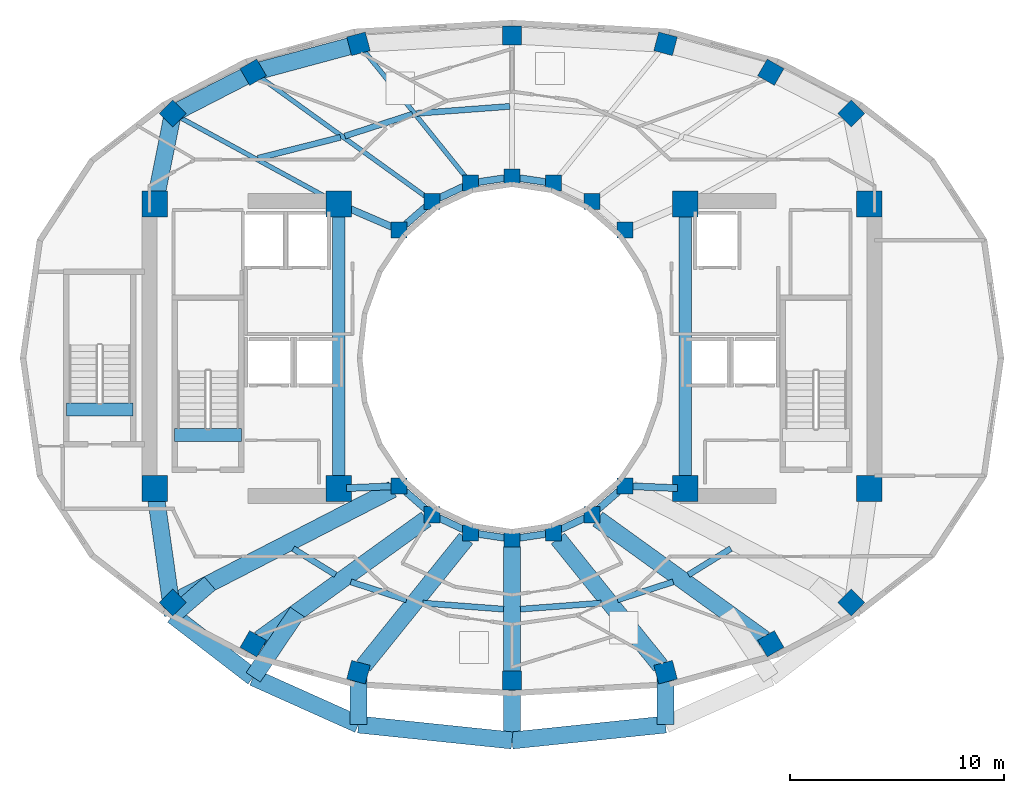
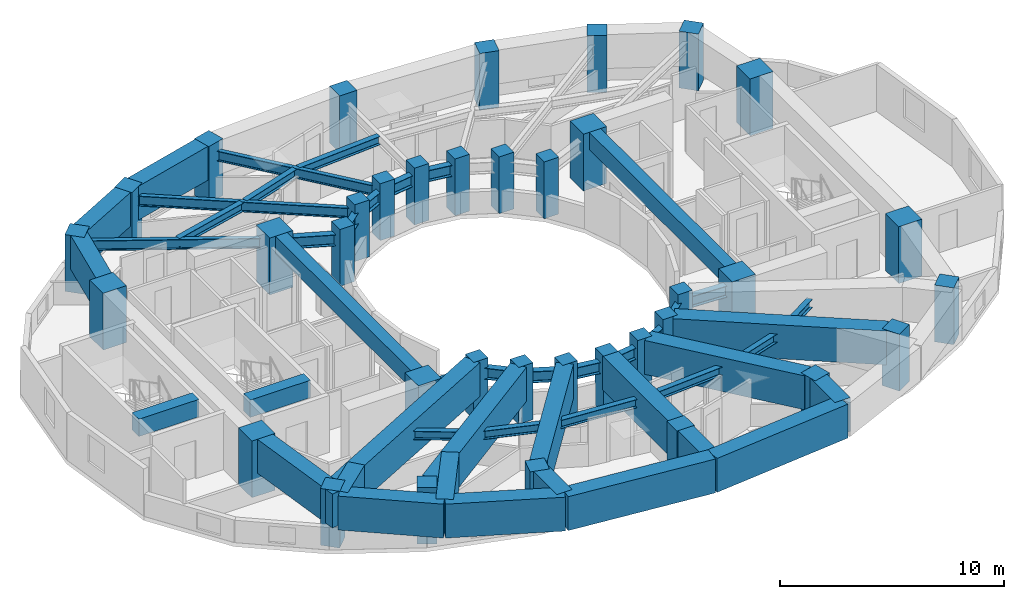
# One storey, part 1 of 9: 47 beams, 36 columns.
"""IFC4 building model written with IfcOpenShell, lengths in metres."""

from ifc_helpers import new_model, si_unit, direction, frame, origin, origin_2d, place, context, subcontext, project, spatial, rectangle, i_section, extrude, material, material_profile, profile_set, type_object, element, save


model = new_model("IFC4")

# Units and contexts
model_context = context("Model", 3, precision=1e-05, world=origin(), true_north=direction((0.0, 1.0)))
body_context = subcontext(model_context, "Body", "Model", "MODEL_VIEW")
ifc_project = project(units=[si_unit("LENGTHUNIT", "METRE"), si_unit("AREAUNIT", "SQUARE_METRE"), si_unit("VOLUMEUNIT", "CUBIC_METRE"), si_unit("PLANEANGLEUNIT", "RADIAN"), si_unit("MASSUNIT", "GRAM", prefix="KILO")], contexts=[model_context])

# Site, building, storey
site_placement = place(None, origin())
site = spatial("IfcSite", under=ifc_project, at=site_placement, CompositionType="ELEMENT")
building_placement = place(site_placement, origin())
building = spatial("IfcBuilding", under=site, at=building_placement, Name="Solvane Sanctuary Tower", CompositionType="ELEMENT")
storey_placement = place(building_placement, frame((0.0, 0.0, 168.39990234375)))
storey = spatial("IfcBuildingStorey", under=building, at=storey_placement, Name="L51", CompositionType="ELEMENT", Elevation=168.39990234375)

# Columns
ifc_material_1 = material(Name="Concrete C50/60", Category="concrete")
ifc_material_profile_1 = material_profile(ifc_material_1, rectangle(XDim=0.75, YDim=0.75, at=origin_2d()), Name="RC750X750")
ifc_profile_set_1 = profile_set([ifc_material_profile_1], Name="Concrete C50/60")
column_type_1 = type_object("IfcColumnType", Name="Column C-RING-Z3 RC750X750", PredefinedType="COLUMN", material=ifc_profile_set_1)
for number, where, z_axis, x_axis, name in (
    (1, (37.27490234375, 28.982177734375, 0.0), (0.0, 0.0, 1.0), (1.0, 0.0, 0.0), "L51 Inner Light-Well Ring Column IC01"),
    (2, (35.72998046875, 30.32666015625, 0.0), (0.0, 0.0, 1.0), (1.0, 0.0, 0.0), "L51 Inner Light-Well Ring Column IC02"),
    (3, (33.930908203125, 31.171630859375, 0.0), (0.0, 0.0, 1.0), (1.0, 0.0, 0.0), "L51 Inner Light-Well Ring Column IC03"),
    (4, (32.0, 31.4599609375, 0.0), (0.0, 0.0, 1.0), (1.0, 0.0, 0.0), "L51 Inner Light-Well Ring Column IC04"),
    (5, (30.069091796875, 31.171630859375, 0.0), (0.0, 0.0, 1.0), (1.0, 0.0, 0.0), "L51 Inner Light-Well Ring Column IC05"),
    (6, (28.27001953125, 30.32666015625, 0.0), (0.0, 0.0, 1.0), (1.0, 0.0, 0.0), "L51 Inner Light-Well Ring Column IC06"),
    (7, (26.72509765625, 28.982177734375, 0.0), (0.0, 0.0, 1.0), (1.0, 0.0, 0.0), "L51 Inner Light-Well Ring Column IC07"),
    (8, (26.72509765625, 17.017822265625, 0.0), (0.0, 0.0, 1.0), (1.0, 0.0, 0.0), "L51 Inner Light-Well Ring Column IC08"),
    (9, (28.27001953125, 15.67333984375, 0.0), (0.0, 0.0, 1.0), (1.0, 0.0, 0.0), "L51 Inner Light-Well Ring Column IC09"),
    (10, (30.069091796875, 14.828369140625, 0.0), (0.0, 0.0, 1.0), (1.0, 0.0, 0.0), "L51 Inner Light-Well Ring Column IC10"),
    (11, (32.0, 14.5400390625, 0.0), (0.0, 0.0, 1.0), (1.0, 0.0, 0.0), "L51 Inner Light-Well Ring Column IC11"),
    (12, (33.930908203125, 14.828369140625, 0.0), (0.0, 0.0, 1.0), (1.0, 0.0, 0.0), "L51 Inner Light-Well Ring Column IC12"),
    (13, (35.72998046875, 15.67333984375, 0.0), (0.0, 0.0, 1.0), (1.0, 0.0, 0.0), "L51 Inner Light-Well Ring Column IC13"),
    (14, (37.27490234375, 17.017822265625, 0.0), (0.0, 0.0, 1.0), (1.0, 0.0, 0.0), "L51 Inner Light-Well Ring Column IC14"),
):
    element("IfcColumn", number, at=place(storey_placement, frame(where, z_axis=z_axis, x_axis=x_axis)), inside=storey, type_object=column_type_1, Name=name, PredefinedType="COLUMN", context=body_context, shape_type="SweptSolid", body=[
        extrude(rectangle(XDim=0.75, YDim=0.75, at=origin_2d()), origin(), (0.0, 0.0, 1.0), 3.10009765625),
    ])
ifc_material_2 = material(Name="Concrete C70/85", Category="concrete")
ifc_material_profile_2 = material_profile(ifc_material_2, rectangle(XDim=1.199951171875, YDim=1.199951171875, at=origin_2d()), Name="RC1200X1200")
ifc_profile_set_2 = profile_set([ifc_material_profile_2], Name="Concrete C70/85")
column_type_2 = type_object("IfcColumnType", Name="Column C-TUBE-Z1 RC1200X1200", PredefinedType="COLUMN", material=ifc_profile_set_2)
for number, where, z_axis, x_axis, name in (
    (15, (15.300048828125, 16.89990234375, 0.0), (0.0, 0.0, 1.0), (1.0, 0.0, 0.0), "L51 Core Corner Column CW1"),
    (16, (23.89990234375, 16.89990234375, 0.0), (0.0, 0.0, 1.0), (1.0, 0.0, 0.0), "L51 Core Corner Column CW2"),
    (17, (23.89990234375, 30.199951171875, 0.0), (0.0, 0.0, 1.0), (1.0, 0.0, 0.0), "L51 Core Corner Column CW3"),
    (18, (15.300048828125, 30.199951171875, 0.0), (0.0, 0.0, 1.0), (1.0, 0.0, 0.0), "L51 Core Corner Column CW4"),
    (19, (40.10009765625, 16.89990234375, 0.0), (0.0, 0.0, 1.0), (1.0, 0.0, 0.0), "L51 Core Corner Column CE1"),
    (20, (48.699951171875, 16.89990234375, 0.0), (0.0, 0.0, 1.0), (1.0, 0.0, 0.0), "L51 Core Corner Column CE2"),
    (21, (48.699951171875, 30.199951171875, 0.0), (0.0, 0.0, 1.0), (1.0, 0.0, 0.0), "L51 Core Corner Column CE3"),
    (22, (40.10009765625, 30.199951171875, 0.0), (0.0, 0.0, 1.0), (1.0, 0.0, 0.0), "L51 Core Corner Column CE4"),
):
    element("IfcColumn", number, at=place(storey_placement, frame(where, z_axis=z_axis, x_axis=x_axis)), inside=storey, type_object=column_type_2, Name=name, PredefinedType="COLUMN", context=body_context, shape_type="SweptSolid", body=[
        extrude(rectangle(XDim=1.199951171875, YDim=1.199951171875, at=origin_2d()), origin(), (0.0, 0.0, 1.0), 3.10009765625),
    ])
ifc_material_3 = material(Name="Concrete C60/75", Category="concrete")
ifc_material_profile_3 = material_profile(ifc_material_3, rectangle(XDim=0.89990234375, YDim=0.89990234375, at=origin_2d()), Name="RC900X900")
ifc_profile_set_3 = profile_set([ifc_material_profile_3], Name="Concrete C60/75")
column_type_3 = type_object("IfcColumnType", Name="Column C-TUBE-Z3 RC900X900", PredefinedType="COLUMN", material=ifc_profile_set_3)
for number, where, z_axis, x_axis, name in (
    (23, (47.856689453125, 34.426513671875, 0.0), (0.0, 0.0, 1.0), (0.707106781187, 0.707106781187, 0.0), "L51 Perimeter Tube Column TC01"),
    (24, (44.09814453125, 36.359375, 0.0), (0.0, 0.0, 1.0), (0.5, 0.866025403784, 0.0), "L51 Perimeter Tube Column TC02"),
    (25, (39.17822265625, 37.686767578125, 0.0), (0.0, 0.0, 1.0), (0.258819045103, 0.965925826289, 0.0), "L51 Perimeter Tube Column TC03"),
    (26, (32.0, 38.080078125, 0.0), (0.0, 0.0, 1.0), (0.0, 1.0, 0.0), "L51 Perimeter Tube Column TC04"),
    (27, (24.82177734375, 37.686767578125, 0.0), (0.0, 0.0, 1.0), (-0.258819045103, 0.965925826289, 0.0), "L51 Perimeter Tube Column TC05"),
    (28, (19.90185546875, 36.359375, 0.0), (0.0, 0.0, 1.0), (-0.5, 0.866025403784, 0.0), "L51 Perimeter Tube Column TC06"),
    (29, (16.143310546875, 34.426513671875, 0.0), (0.0, 0.0, 1.0), (-0.707106781187, 0.707106781187, 0.0), "L51 Perimeter Tube Column TC07"),
    (30, (16.143310546875, 11.573486328125, 0.0), (0.0, 0.0, 1.0), (-0.707106781187, -0.707106781187, 0.0), "L51 Perimeter Tube Column TC08"),
    (31, (19.90185546875, 9.640625, 0.0), (0.0, 0.0, 1.0), (-0.5, -0.866025403784, 0.0), "L51 Perimeter Tube Column TC09"),
    (32, (24.82177734375, 8.313232421875, 0.0), (0.0, 0.0, 1.0), (-0.258819045103, -0.965925826289, 0.0), "L51 Perimeter Tube Column TC10"),
    (33, (32.0, 7.919921875, 0.0), (0.0, 0.0, 1.0), (0.0, -1.0, 0.0), "L51 Perimeter Tube Column TC11"),
    (34, (39.17822265625, 8.313232421875, 0.0), (0.0, 0.0, 1.0), (0.258819045103, -0.965925826289, 0.0), "L51 Perimeter Tube Column TC12"),
    (35, (44.09814453125, 9.640625, 0.0), (0.0, 0.0, 1.0), (0.5, -0.866025403784, 0.0), "L51 Perimeter Tube Column TC13"),
    (36, (47.856689453125, 11.573486328125, 0.0), (0.0, 0.0, 1.0), (0.707106781187, -0.707106781187, 0.0), "L51 Perimeter Tube Column TC14"),
):
    element("IfcColumn", number, at=place(storey_placement, frame(where, z_axis=z_axis, x_axis=x_axis)), inside=storey, type_object=column_type_3, Name=name, PredefinedType="COLUMN", context=body_context, shape_type="SweptSolid", body=[
        extrude(rectangle(XDim=0.89990234375, YDim=0.89990234375, at=origin_2d()), origin(), (0.0, 0.0, 1.0), 3.10009765625),
    ])

# Beams
ifc_material_profile_4 = material_profile(ifc_material_2, rectangle(XDim=0.60009765625, YDim=0.949951171875, at=origin_2d()), Name="RC600X950")
ifc_profile_set_4 = profile_set([ifc_material_profile_4], Name="Concrete C70/85")
beam_type_1 = type_object("IfcBeamType", Name="Beam B-COUPLE RC600X950", PredefinedType="LINTEL", material=ifc_profile_set_4)
for number, where, z_axis, x_axis, name in (
    (37, (23.89990234375, 17.35009765625, 2.625), (0.0, 1.0, 0.0), (-1.0, 0.0, 0.0), "L51 West Core Coupling Lintel"),
    (38, (40.10009765625, 17.35009765625, 2.625), (0.0, 1.0, 0.0), (-1.0, 0.0, 0.0), "L51 East Core Coupling Lintel"),
):
    element("IfcBeam", number, at=place(storey_placement, frame(where, z_axis=z_axis, x_axis=x_axis)), inside=storey, type_object=beam_type_1, Name=name, PredefinedType="LINTEL", context=body_context, shape_type="SweptSolid", body=[
        extrude(rectangle(XDim=0.60009765625, YDim=0.949951171875, at=origin_2d()), origin(), (0.0, 0.0, 1.0), 12.39990234375),
    ])
for number, where, z_axis, x_axis, name in (
    (39, (16.22998046875, 19.399169921875, 2.625), (1.0, 0.0, 0.0), (0.0, 1.0, 0.0), "L51 ST-1 Stair Floor Landing Trimmer"),
    (40, (11.169921875, 20.59912109375, 2.625), (1.0, 0.0, 0.0), (0.0, 1.0, 0.0), "L51 ST-3 Stair Floor Landing Trimmer"),
):
    element("IfcBeam", number, at=place(storey_placement, frame(where, z_axis=z_axis, x_axis=x_axis)), inside=storey, type_object=beam_type_1, Name=name, PredefinedType="LINTEL", context=body_context, shape_type="SweptSolid", body=[
        extrude(rectangle(XDim=0.60009765625, YDim=0.949951171875, at=origin_2d()), origin(), (0.0, 0.0, 1.0), 3.1201171875),
    ])
ifc_material_4 = material(Name="Steel ASTM A992 Grade 50", Category="steel")
ifc_material_profile_5 = material_profile(ifc_material_4, i_section(OverallWidth=0.214111328125, OverallDepth=0.549072265625, WebThickness=0.0146484375, FlangeThickness=0.023681640625, FilletRadius=0.014892578125, at=origin_2d()), Name="W21X93")
ifc_profile_set_5 = profile_set([ifc_material_profile_5], Name="Steel ASTM A992 Grade 50")
beam_type_2 = type_object("IfcBeamType", Name="Beam B-RAD-Z3 W21X93", PredefinedType="JOIST", material=ifc_profile_set_5)
beam_1_placement = place(storey_placement, frame((29.8935546875, 31.389892578125, 2.323486328125), z_axis=(-0.627296867999, 0.778780225352, 0.0), x_axis=(-0.778780225352, -0.627296867999, 0.0)))
element("IfcBeam", 41, at=beam_1_placement, inside=storey, type_object=beam_type_2, Name="L51 Radial Composite Floor Beam 05", PredefinedType="JOIST", context=body_context, shape_type="SweptSolid", body=[
    extrude(i_section(OverallWidth=0.214111328125, OverallDepth=0.549072265625, WebThickness=0.0146484375, FlangeThickness=0.023681640625, FilletRadius=0.014892578125, at=origin_2d()), origin(), (0.0, 0.0, 1.0), 7.805419921875),
])
beam_2_placement = place(storey_placement, frame((28.04296875, 30.490234375, 2.323486328125), z_axis=(-0.811184384633, 0.584790470277, 0.0), x_axis=(-0.584790470277, -0.811184384633, 0.0)))
element("IfcBeam", 42, at=beam_2_placement, inside=storey, type_object=beam_type_2, Name="L51 Radial Composite Floor Beam 06", PredefinedType="JOIST", context=body_context, shape_type="SweptSolid", body=[
    extrude(i_section(OverallWidth=0.214111328125, OverallDepth=0.549072265625, WebThickness=0.0146484375, FlangeThickness=0.023681640625, FilletRadius=0.014892578125, at=origin_2d()), origin(), (0.0, 0.0, 1.0), 9.756103515625),
])
beam_3_placement = place(storey_placement, frame((23.583984375, 30.372314453125, 2.323486328125), z_axis=(-0.878108435277, 0.478461676516, 0.0), x_axis=(-0.478461676516, -0.878108435277, 0.0)))
element("IfcBeam", 43, at=beam_3_placement, inside=storey, type_object=beam_type_2, Name="L51 Radial Composite Floor Beam 07", PredefinedType="JOIST", context=body_context, shape_type="SweptSolid", body=[
    extrude(i_section(OverallWidth=0.214111328125, OverallDepth=0.549072265625, WebThickness=0.0146484375, FlangeThickness=0.023681640625, FilletRadius=0.014892578125, at=origin_2d()), origin(), (0.0, 0.0, 1.0), 8.193359375),
])
ifc_material_profile_6 = material_profile(ifc_material_4, i_section(OverallWidth=0.324951171875, OverallDepth=0.615966796875, WebThickness=0.013916015625, FlangeThickness=0.021484375, FilletRadius=0.01611328125, at=origin_2d()), Name="W24X117")
ifc_profile_set_6 = profile_set([ifc_material_profile_6], Name="Steel ASTM A992 Grade 50")
beam_type_3 = type_object("IfcBeamType", Name="Beam B-RING-IN2 W24X117", PredefinedType="BEAM", material=ifc_profile_set_6)
beam_4_placement = place(storey_placement, frame((24.230712890625, 30.0576171875, 2.2900390625), z_axis=(0.918264067649, -0.395968561966, 0.0), x_axis=(0.395968561966, 0.918264067649, 0.0)))
element("IfcBeam", 44, at=beam_4_placement, inside=storey, type_object=beam_type_3, Name="L51 Inner Light-Well Ring Beam CW3-IC07", PredefinedType="BEAM", context=body_context, shape_type="SweptSolid", body=[
    extrude(i_section(OverallWidth=0.324951171875, OverallDepth=0.615966796875, WebThickness=0.013916015625, FlangeThickness=0.021484375, FilletRadius=0.01611328125, at=origin_2d()), origin(), (0.0, 0.0, 1.0), 2.371337890625),
])
beam_5_placement = place(storey_placement, frame((26.9853515625, 29.20849609375, 2.2900390625), z_axis=(0.754311313851, 0.656516901379, 0.0), x_axis=(-0.656516901379, 0.754311313851, 0.0)))
element("IfcBeam", 45, at=beam_5_placement, inside=storey, type_object=beam_type_3, Name="L51 Inner Light-Well Ring Beam IC07-IC06", PredefinedType="BEAM", context=body_context, shape_type="SweptSolid", body=[
    extrude(i_section(OverallWidth=0.324951171875, OverallDepth=0.615966796875, WebThickness=0.013916015625, FlangeThickness=0.021484375, FilletRadius=0.01611328125, at=origin_2d()), origin(), (0.0, 0.0, 1.0), 1.358154296875),
])
beam_6_placement = place(storey_placement, frame((28.582275390625, 30.473388671875, 2.2900390625), z_axis=(0.9051808128, 0.425026700502, 0.0), x_axis=(-0.425026700502, 0.9051808128, 0.0)))
element("IfcBeam", 46, at=beam_6_placement, inside=storey, type_object=beam_type_3, Name="L51 Inner Light-Well Ring Beam IC06-IC05", PredefinedType="BEAM", context=body_context, shape_type="SweptSolid", body=[
    extrude(i_section(OverallWidth=0.324951171875, OverallDepth=0.615966796875, WebThickness=0.013916015625, FlangeThickness=0.021484375, FilletRadius=0.01611328125, at=origin_2d()), origin(), (0.0, 0.0, 1.0), 1.297607421875),
])
for number, where, z_axis, x_axis, name in (
    (47, (30.410400390625, 31.22265625, 2.2900390625), (0.989019905763, 0.147782360259, 0.0), (-0.147782360259, 0.989019905763, 0.0), "L51 Inner Light-Well Ring Beam IC05-IC04"),
    (48, (32.34130859375, 31.4091796875, 2.2900390625), (0.989019905763, -0.147782360259, 0.0), (0.147782360259, 0.989019905763, 0.0), "L51 Inner Light-Well Ring Beam IC04-IC03"),
):
    element("IfcBeam", number, at=place(storey_placement, frame(where, z_axis=z_axis, x_axis=x_axis)), inside=storey, type_object=beam_type_3, Name=name, PredefinedType="BEAM", context=body_context, shape_type="SweptSolid", body=[
        extrude(i_section(OverallWidth=0.324951171875, OverallDepth=0.615966796875, WebThickness=0.013916015625, FlangeThickness=0.021484375, FilletRadius=0.01611328125, at=origin_2d()), origin(), (0.0, 0.0, 1.0), 1.26220703125),
    ])
beam_7_placement = place(storey_placement, frame((24.259765625, 16.9150390625, 2.2900390625), z_axis=(0.999132674336, 0.041640113759, 0.0), x_axis=(-0.041640113759, 0.999132674336, 0.0)))
element("IfcBeam", 49, at=beam_7_placement, inside=storey, type_object=beam_type_3, Name="L51 Inner Light-Well Ring Beam CW2-IC08", PredefinedType="BEAM", context=body_context, shape_type="SweptSolid", body=[
    extrude(i_section(OverallWidth=0.324951171875, OverallDepth=0.615966796875, WebThickness=0.013916015625, FlangeThickness=0.021484375, FilletRadius=0.01611328125, at=origin_2d()), origin(), (0.0, 0.0, 1.0), 2.12255859375),
])
beam_8_placement = place(storey_placement, frame((26.9853515625, 16.79150390625, 2.2900390625), z_axis=(0.754311313851, -0.656516901379, 0.0), x_axis=(0.656516901379, 0.754311313851, 0.0)))
element("IfcBeam", 50, at=beam_8_placement, inside=storey, type_object=beam_type_3, Name="L51 Inner Light-Well Ring Beam IC08-IC09", PredefinedType="BEAM", context=body_context, shape_type="SweptSolid", body=[
    extrude(i_section(OverallWidth=0.324951171875, OverallDepth=0.615966796875, WebThickness=0.013916015625, FlangeThickness=0.021484375, FilletRadius=0.01611328125, at=origin_2d()), origin(), (0.0, 0.0, 1.0), 1.358154296875),
])
beam_9_placement = place(storey_placement, frame((28.582275390625, 15.526611328125, 2.2900390625), z_axis=(0.9051808128, -0.425026700502, 0.0), x_axis=(0.425026700502, 0.9051808128, 0.0)))
element("IfcBeam", 51, at=beam_9_placement, inside=storey, type_object=beam_type_3, Name="L51 Inner Light-Well Ring Beam IC09-IC10", PredefinedType="BEAM", context=body_context, shape_type="SweptSolid", body=[
    extrude(i_section(OverallWidth=0.324951171875, OverallDepth=0.615966796875, WebThickness=0.013916015625, FlangeThickness=0.021484375, FilletRadius=0.01611328125, at=origin_2d()), origin(), (0.0, 0.0, 1.0), 1.297607421875),
])
for number, where, z_axis, x_axis, name in (
    (52, (30.410400390625, 14.77734375, 2.2900390625), (0.989019905763, -0.147782360259, 0.0), (0.147782360259, 0.989019905763, 0.0), "L51 Inner Light-Well Ring Beam IC10-IC11"),
    (53, (32.34130859375, 14.5908203125, 2.2900390625), (0.989019905763, 0.147782360259, 0.0), (-0.147782360259, 0.989019905763, 0.0), "L51 Inner Light-Well Ring Beam IC11-IC12"),
):
    element("IfcBeam", number, at=place(storey_placement, frame(where, z_axis=z_axis, x_axis=x_axis)), inside=storey, type_object=beam_type_3, Name=name, PredefinedType="BEAM", context=body_context, shape_type="SweptSolid", body=[
        extrude(i_section(OverallWidth=0.324951171875, OverallDepth=0.615966796875, WebThickness=0.013916015625, FlangeThickness=0.021484375, FilletRadius=0.01611328125, at=origin_2d()), origin(), (0.0, 0.0, 1.0), 1.26220703125),
    ])
beam_10_placement = place(storey_placement, frame((34.2431640625, 14.97509765625, 2.2900390625), z_axis=(0.9051808128, 0.425026700502, 0.0), x_axis=(-0.425026700502, 0.9051808128, 0.0)))
element("IfcBeam", 54, at=beam_10_placement, inside=storey, type_object=beam_type_3, Name="L51 Inner Light-Well Ring Beam IC12-IC13", PredefinedType="BEAM", context=body_context, shape_type="SweptSolid", body=[
    extrude(i_section(OverallWidth=0.324951171875, OverallDepth=0.615966796875, WebThickness=0.013916015625, FlangeThickness=0.021484375, FilletRadius=0.01611328125, at=origin_2d()), origin(), (0.0, 0.0, 1.0), 1.297607421875),
])
beam_11_placement = place(storey_placement, frame((35.990234375, 15.89990234375, 2.2900390625), z_axis=(0.754311313851, 0.656516901379, 0.0), x_axis=(-0.656516901379, 0.754311313851, 0.0)))
element("IfcBeam", 55, at=beam_11_placement, inside=storey, type_object=beam_type_3, Name="L51 Inner Light-Well Ring Beam IC13-IC14", PredefinedType="BEAM", context=body_context, shape_type="SweptSolid", body=[
    extrude(i_section(OverallWidth=0.324951171875, OverallDepth=0.615966796875, WebThickness=0.013916015625, FlangeThickness=0.021484375, FilletRadius=0.01611328125, at=origin_2d()), origin(), (0.0, 0.0, 1.0), 1.358154296875),
])
beam_12_placement = place(storey_placement, frame((37.61962890625, 17.00341796875, 2.2900390625), z_axis=(0.999132674336, -0.041640113759, 0.0), x_axis=(0.041640113759, 0.999132674336, 0.0)))
element("IfcBeam", 56, at=beam_12_placement, inside=storey, type_object=beam_type_3, Name="L51 Inner Light-Well Ring Beam IC14-CE1", PredefinedType="BEAM", context=body_context, shape_type="SweptSolid", body=[
    extrude(i_section(OverallWidth=0.324951171875, OverallDepth=0.615966796875, WebThickness=0.013916015625, FlangeThickness=0.021484375, FilletRadius=0.01611328125, at=origin_2d()), origin(), (0.0, 0.0, 1.0), 2.12255859375),
])
ifc_material_profile_7 = material_profile(ifc_material_4, i_section(OverallWidth=0.280029296875, OverallDepth=0.462890625, WebThickness=0.0107421875, FlangeThickness=0.017333984375, FilletRadius=0.013916015625, at=origin_2d()), Name="W18X76")
ifc_profile_set_7 = profile_set([ifc_material_profile_7], Name="Steel ASTM A992 Grade 50")
beam_type_4 = type_object("IfcBeamType", Name="Beam B-SEC-JOIST W18X76", PredefinedType="JOIST", material=ifc_profile_set_7)
beam_13_placement = place(storey_placement, frame((20.12060546875, 32.33837890625, 2.36669921875), z_axis=(0.969378020231, 0.245573316737, 0.0), x_axis=(-0.245573316737, 0.969378020231, 0.0)))
element("IfcBeam", 57, at=beam_13_placement, inside=storey, type_object=beam_type_4, Name="L51 Secondary Circumferential Joist 07-06", PredefinedType="JOIST", context=body_context, shape_type="SweptSolid", body=[
    extrude(i_section(OverallWidth=0.280029296875, OverallDepth=0.462890625, WebThickness=0.0107421875, FlangeThickness=0.017333984375, FilletRadius=0.013916015625, at=origin_2d()), origin(), (0.0, 0.0, 1.0), 3.988525390625),
])
beam_14_placement = place(storey_placement, frame((24.18310546875, 33.37451171875, 2.36669921875), z_axis=(0.951520984169, 0.307583836842, 0.0), x_axis=(-0.307583836842, 0.951520984169, 0.0)))
element("IfcBeam", 58, at=beam_14_placement, inside=storey, type_object=beam_type_4, Name="L51 Secondary Circumferential Joist 06-05", PredefinedType="JOIST", context=body_context, shape_type="SweptSolid", body=[
    extrude(i_section(OverallWidth=0.280029296875, OverallDepth=0.462890625, WebThickness=0.0107421875, FlangeThickness=0.017333984375, FilletRadius=0.013916015625, at=origin_2d()), origin(), (0.0, 0.0, 1.0), 3.32666015625),
])
beam_15_placement = place(storey_placement, frame((27.547119140625, 34.436767578125, 2.36669921875), z_axis=(0.99721035762, 0.074642498994, 0.0), x_axis=(-0.074642498994, 0.99721035762, 0.0)))
element("IfcBeam", 59, at=beam_15_placement, inside=storey, type_object=beam_type_4, Name="L51 Secondary Circumferential Joist 05-04", PredefinedType="JOIST", context=body_context, shape_type="SweptSolid", body=[
    extrude(i_section(OverallWidth=0.280029296875, OverallDepth=0.462890625, WebThickness=0.0107421875, FlangeThickness=0.017333984375, FilletRadius=0.013916015625, at=origin_2d()), origin(), (0.0, 0.0, 1.0), 4.36328125),
])
beam_16_placement = place(storey_placement, frame((21.770263671875, 14.088134765625, 2.36669921875), z_axis=(0.850680720849, -0.525682709603, 0.0), x_axis=(0.525682709603, 0.850680720849, 0.0)))
element("IfcBeam", 60, at=beam_16_placement, inside=storey, type_object=beam_type_4, Name="L51 Secondary Circumferential Joist 08-09", PredefinedType="JOIST", context=body_context, shape_type="SweptSolid", body=[
    extrude(i_section(OverallWidth=0.280029296875, OverallDepth=0.462890625, WebThickness=0.0107421875, FlangeThickness=0.017333984375, FilletRadius=0.013916015625, at=origin_2d()), origin(), (0.0, 0.0, 1.0), 2.3271484375),
])
beam_17_placement = place(storey_placement, frame((24.4619140625, 12.53564453125, 2.36669921875), z_axis=(0.951486713775, -0.307689833291, 0.0), x_axis=(0.307689833291, 0.951486713775, 0.0)))
element("IfcBeam", 61, at=beam_17_placement, inside=storey, type_object=beam_type_4, Name="L51 Secondary Circumferential Joist 09-10", PredefinedType="JOIST", context=body_context, shape_type="SweptSolid", body=[
    extrude(i_section(OverallWidth=0.280029296875, OverallDepth=0.462890625, WebThickness=0.0107421875, FlangeThickness=0.017333984375, FilletRadius=0.013916015625, at=origin_2d()), origin(), (0.0, 0.0, 1.0), 2.74072265625),
])
for number, where, z_axis, x_axis, name in (
    (62, (27.83935546875, 11.541259765625, 2.36669921875), (0.997214593532, -0.074585886379, 0.0), (0.074585886379, 0.997214593532, 0.0), "L51 Secondary Circumferential Joist 10-11"),
    (63, (32.393798828125, 11.259521484375, 2.36669921875), (0.997214593532, 0.074585886379, 0.0), (-0.074585886379, 0.997214593532, 0.0), "L51 Secondary Circumferential Joist 11-12"),
):
    element("IfcBeam", number, at=place(storey_placement, frame(where, z_axis=z_axis, x_axis=x_axis)), inside=storey, type_object=beam_type_4, Name=name, PredefinedType="JOIST", context=body_context, shape_type="SweptSolid", body=[
        extrude(i_section(OverallWidth=0.280029296875, OverallDepth=0.462890625, WebThickness=0.0107421875, FlangeThickness=0.017333984375, FilletRadius=0.013916015625, at=origin_2d()), origin(), (0.0, 0.0, 1.0), 3.77734375),
    ])
beam_18_placement = place(storey_placement, frame((36.930419921875, 11.6923828125, 2.36669921875), z_axis=(0.951495146382, 0.307663755439, 0.0), x_axis=(-0.307663755439, 0.951495146382, 0.0)))
element("IfcBeam", 64, at=beam_18_placement, inside=storey, type_object=beam_type_4, Name="L51 Secondary Circumferential Joist 12-13", PredefinedType="JOIST", context=body_context, shape_type="SweptSolid", body=[
    extrude(i_section(OverallWidth=0.280029296875, OverallDepth=0.462890625, WebThickness=0.0107421875, FlangeThickness=0.017333984375, FilletRadius=0.013916015625, at=origin_2d()), origin(), (0.0, 0.0, 1.0), 2.740966796875),
])
beam_19_placement = place(storey_placement, frame((40.25, 12.86474609375, 2.36669921875), z_axis=(0.850680720849, 0.525682709603, 0.0), x_axis=(-0.525682709603, 0.850680720849, 0.0)))
element("IfcBeam", 65, at=beam_19_placement, inside=storey, type_object=beam_type_4, Name="L51 Secondary Circumferential Joist 13-14", PredefinedType="JOIST", context=body_context, shape_type="SweptSolid", body=[
    extrude(i_section(OverallWidth=0.280029296875, OverallDepth=0.462890625, WebThickness=0.0107421875, FlangeThickness=0.017333984375, FilletRadius=0.013916015625, at=origin_2d()), origin(), (0.0, 0.0, 1.0), 2.3271484375),
])
ifc_material_profile_8 = material_profile(ifc_material_2, rectangle(XDim=0.800048828125, YDim=1.85009765625, at=origin_2d()), Name="RC800X1850")
ifc_profile_set_8 = profile_set([ifc_material_profile_8], Name="Concrete C70/85")
beam_type_5 = type_object("IfcBeamType", Name="Beam B-XFER-BLK RC800X1850", PredefinedType="BEAM", material=ifc_profile_set_8)
beam_20_placement = place(storey_placement, frame((26.418212890625, 16.860107421875, 2.175048828125), z_axis=(-0.889207637162, -0.457503855735, 0.0), x_axis=(0.457503855735, -0.889207637162, 0.0)))
element("IfcBeam", 66, at=beam_20_placement, inside=storey, type_object=beam_type_5, Name="L51 Block-Shift Radial Transfer Girder 08A", PredefinedType="BEAM", context=body_context, shape_type="SweptSolid", body=[
    extrude(rectangle(XDim=0.800048828125, YDim=1.85009765625, at=origin_2d()), origin(), (0.0, 0.0, 1.0), 11.18505859375),
])
beam_21_placement = place(storey_placement, frame((17.87744140625, 12.4658203125, 2.175048828125), z_axis=(-0.757002706343, -0.653411740474, 0.0), x_axis=(0.653411740474, -0.757002706343, 0.0)))
element("IfcBeam", 67, at=beam_21_placement, inside=storey, type_object=beam_type_5, Name="L51 Block-Shift Transfer Tie 08B", PredefinedType="BEAM", context=body_context, shape_type="SweptSolid", body=[
    extrude(rectangle(XDim=0.800048828125, YDim=1.85009765625, at=origin_2d()), origin(), (0.0, 0.0, 1.0), 2.290771484375),
])
beam_22_placement = place(storey_placement, frame((27.989990234375, 15.4716796875, 2.175048828125), z_axis=(-0.811184514133, -0.584790290643, 0.0), x_axis=(0.584790290643, -0.811184514133, 0.0)))
element("IfcBeam", 68, at=beam_22_placement, inside=storey, type_object=beam_type_5, Name="L51 Block-Shift Radial Transfer Girder 09A", PredefinedType="BEAM", context=body_context, shape_type="SweptSolid", body=[
    extrude(rectangle(XDim=0.800048828125, YDim=1.85009765625, at=origin_2d()), origin(), (0.0, 0.0, 1.0), 9.600830078125),
])
beam_23_placement = place(storey_placement, frame((21.96337890625, 11.126708984375, 2.175048828125), z_axis=(-0.559400033837, -0.828897823705, 0.0), x_axis=(0.828897823705, -0.559400033837, 0.0)))
element("IfcBeam", 69, at=beam_23_placement, inside=storey, type_object=beam_type_5, Name="L51 Block-Shift Transfer Tie 09B", PredefinedType="BEAM", context=body_context, shape_type="SweptSolid", body=[
    extrude(rectangle(XDim=0.800048828125, YDim=1.85009765625, at=origin_2d()), origin(), (0.0, 0.0, 1.0), 3.685302734375),
])
beam_24_placement = place(storey_placement, frame((29.852783203125, 14.5595703125, 2.175048828125), z_axis=(-0.627295131383, -0.778781624169, 0.0), x_axis=(0.778781624169, -0.627295131383, 0.0)))
element("IfcBeam", 70, at=beam_24_placement, inside=storey, type_object=beam_type_5, Name="L51 Block-Shift Radial Transfer Girder 10A", PredefinedType="BEAM", context=body_context, shape_type="SweptSolid", body=[
    extrude(rectangle(XDim=0.800048828125, YDim=1.85009765625, at=origin_2d()), origin(), (0.0, 0.0, 1.0), 7.650390625),
])
beam_25_placement = place(storey_placement, frame((24.82177734375, 8.26318359375, 2.175048828125), z_axis=(0.0, -1.0, 0.0), x_axis=(1.0, 0.0, 0.0)))
element("IfcBeam", 71, at=beam_25_placement, inside=storey, type_object=beam_type_5, Name="L51 Block-Shift Transfer Tie 10B", PredefinedType="BEAM", context=body_context, shape_type="SweptSolid", body=[
    extrude(rectangle(XDim=0.800048828125, YDim=1.85009765625, at=origin_2d()), origin(), (0.0, 0.0, 1.0), 2.397705078125),
])
beam_26_placement = place(storey_placement, frame((32.0, 14.195068359375, 2.175048828125), z_axis=(0.0, -1.0, 0.0), x_axis=(1.0, 0.0, 0.0)))
element("IfcBeam", 72, at=beam_26_placement, inside=storey, type_object=beam_type_5, Name="L51 Block-Shift Radial Transfer Girder 11A", PredefinedType="BEAM", context=body_context, shape_type="SweptSolid", body=[
    extrude(rectangle(XDim=0.800048828125, YDim=1.85009765625, at=origin_2d()), origin(), (0.0, 0.0, 1.0), 9.074951171875),
])
beam_27_placement = place(storey_placement, frame((34.147216796875, 14.5595703125, 2.175048828125), z_axis=(0.627295131383, -0.778781624169, 0.0), x_axis=(0.778781624169, 0.627295131383, 0.0)))
element("IfcBeam", 73, at=beam_27_placement, inside=storey, type_object=beam_type_5, Name="L51 Block-Shift Radial Transfer Girder 12A", PredefinedType="BEAM", context=body_context, shape_type="SweptSolid", body=[
    extrude(rectangle(XDim=0.800048828125, YDim=1.85009765625, at=origin_2d()), origin(), (0.0, 0.0, 1.0), 7.650390625),
])
beam_28_placement = place(storey_placement, frame((39.17822265625, 8.26318359375, 2.175048828125), z_axis=(0.0, -1.0, 0.0), x_axis=(1.0, 0.0, 0.0)))
element("IfcBeam", 74, at=beam_28_placement, inside=storey, type_object=beam_type_5, Name="L51 Block-Shift Transfer Tie 12B", PredefinedType="BEAM", context=body_context, shape_type="SweptSolid", body=[
    extrude(rectangle(XDim=0.800048828125, YDim=1.85009765625, at=origin_2d()), origin(), (0.0, 0.0, 1.0), 2.397705078125),
])
beam_29_placement = place(storey_placement, frame((36.010009765625, 15.4716796875, 2.175048828125), z_axis=(0.811184514133, -0.584790290643, 0.0), x_axis=(0.584790290643, 0.811184514133, 0.0)))
element("IfcBeam", 75, at=beam_29_placement, inside=storey, type_object=beam_type_5, Name="L51 Block-Shift Radial Transfer Girder 13A", PredefinedType="BEAM", context=body_context, shape_type="SweptSolid", body=[
    extrude(rectangle(XDim=0.800048828125, YDim=1.85009765625, at=origin_2d()), origin(), (0.0, 0.0, 1.0), 9.600830078125),
])
beam_30_placement = place(storey_placement, frame((15.37060546875, 30.552978515625, 2.175048828125), z_axis=(0.19562876256, 0.980678024256, 0.0), x_axis=(-0.980678024256, 0.19562876256, 0.0)))
element("IfcBeam", 76, at=beam_30_placement, inside=storey, type_object=beam_type_5, Name="L51 Perimeter Step Transfer Ring CW4-NTC07", PredefinedType="BEAM", context=body_context, shape_type="SweptSolid", body=[
    extrude(rectangle(XDim=0.800048828125, YDim=1.85009765625, at=origin_2d()), origin(), (0.0, 0.0, 1.0), 3.949951171875),
])
beam_31_placement = place(storey_placement, frame((16.143310546875, 34.426513671875, 2.175048828125), z_axis=(0.889297870953, 0.457328434189, 0.0), x_axis=(-0.457328434189, 0.889297870953, 0.0)))
element("IfcBeam", 77, at=beam_31_placement, inside=storey, type_object=beam_type_5, Name="L51 Perimeter Step Transfer Ring NTC07-NTC06", PredefinedType="BEAM", context=body_context, shape_type="SweptSolid", body=[
    extrude(rectangle(XDim=0.800048828125, YDim=1.85009765625, at=origin_2d()), origin(), (0.0, 0.0, 1.0), 4.226318359375),
])
beam_32_placement = place(storey_placement, frame((19.90185546875, 36.359375, 2.175048828125), z_axis=(0.965477774792, 0.260485443705, 0.0), x_axis=(-0.260485443705, 0.965477774792, 0.0)))
element("IfcBeam", 78, at=beam_32_placement, inside=storey, type_object=beam_type_5, Name="L51 Perimeter Step Transfer Ring NTC06-NTC05", PredefinedType="BEAM", context=body_context, shape_type="SweptSolid", body=[
    extrude(rectangle(XDim=0.800048828125, YDim=1.85009765625, at=origin_2d()), origin(), (0.0, 0.0, 1.0), 5.095947265625),
])
beam_33_placement = place(storey_placement, frame((15.3505859375, 16.543701171875, 2.175048828125), z_axis=(0.1407839619, -0.990040340628, 0.0), x_axis=(0.990040340628, 0.1407839619, 0.0)))
element("IfcBeam", 79, at=beam_33_placement, inside=storey, type_object=beam_type_5, Name="L51 Perimeter Step Transfer Ring CW1-NTC08", PredefinedType="BEAM", context=body_context, shape_type="SweptSolid", body=[
    extrude(rectangle(XDim=0.800048828125, YDim=1.85009765625, at=origin_2d()), origin(), (0.0, 0.0, 1.0), 5.630859375),
])
beam_34_placement = place(storey_placement, frame((16.143310546875, 10.968994140625, 2.175048828125), z_axis=(0.792034554649, -0.610476260179, 0.0), x_axis=(0.610476260179, 0.792034554649, 0.0)))
element("IfcBeam", 80, at=beam_34_placement, inside=storey, type_object=beam_type_5, Name="L51 Perimeter Step Transfer Ring NTC08-NTC09", PredefinedType="BEAM", context=body_context, shape_type="SweptSolid", body=[
    extrude(rectangle(XDim=0.800048828125, YDim=1.85009765625, at=origin_2d()), origin(), (0.0, 0.0, 1.0), 4.745361328125),
])
beam_35_placement = place(storey_placement, frame((19.90185546875, 8.072021484375, 2.175048828125), z_axis=(0.912435879272, -0.409219704092, 0.0), x_axis=(0.409219704092, 0.912435879272, 0.0)))
element("IfcBeam", 81, at=beam_35_placement, inside=storey, type_object=beam_type_5, Name="L51 Perimeter Step Transfer Ring NTC09-NTC10", PredefinedType="BEAM", context=body_context, shape_type="SweptSolid", body=[
    extrude(rectangle(XDim=0.800048828125, YDim=1.85009765625, at=origin_2d()), origin(), (0.0, 0.0, 1.0), 5.39208984375),
])
for number, where, z_axis, x_axis, name in (
    (82, (24.82177734375, 5.865478515625, 2.175048828125), (0.994652199756, -0.10328117699, 0.0), (0.10328117699, 0.994652199756, 0.0), "L51 Perimeter Step Transfer Ring NTC10-NTC11"),
    (83, (32.0, 5.1201171875, 2.175048828125), (0.994652199756, 0.10328117699, 0.0), (-0.10328117699, 0.994652199756, 0.0), "L51 Perimeter Step Transfer Ring NTC11-NTC12"),
):
    element("IfcBeam", number, at=place(storey_placement, frame(where, z_axis=z_axis, x_axis=x_axis)), inside=storey, type_object=beam_type_5, Name=name, PredefinedType="BEAM", context=body_context, shape_type="SweptSolid", body=[
        extrude(rectangle(XDim=0.800048828125, YDim=1.85009765625, at=origin_2d()), origin(), (0.0, 0.0, 1.0), 7.216796875),
    ])

save(model, "model.ifc")
